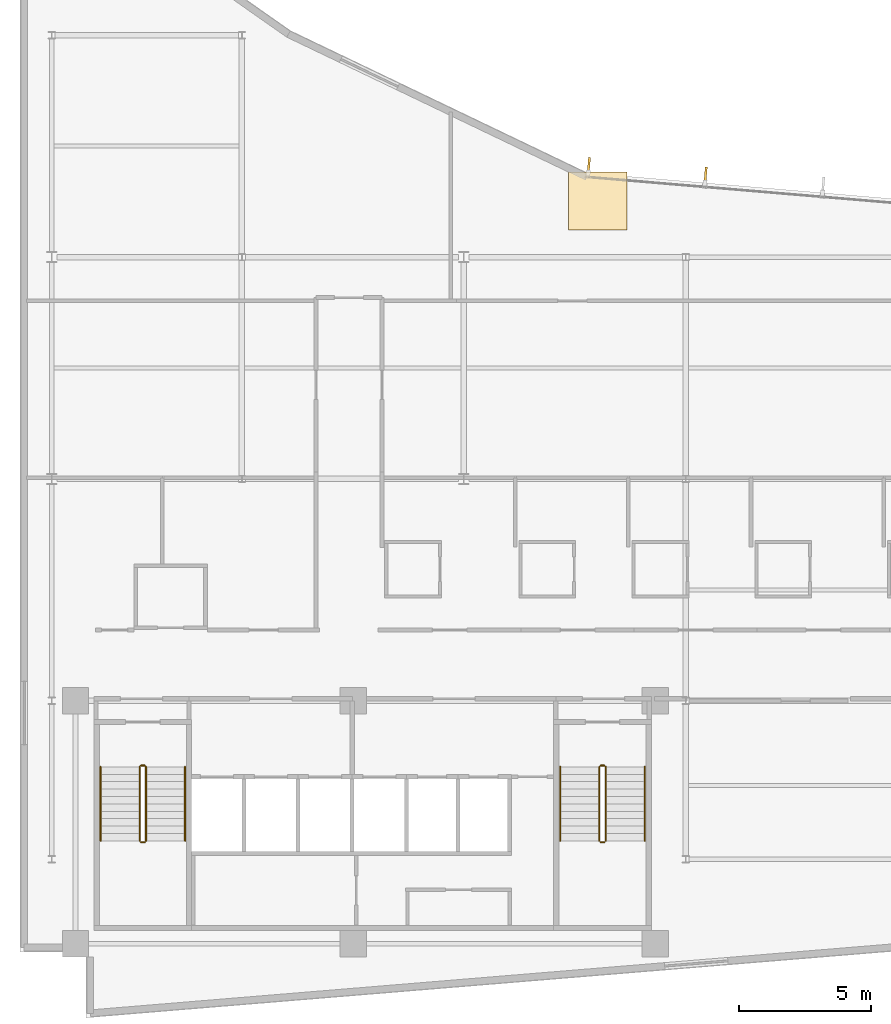
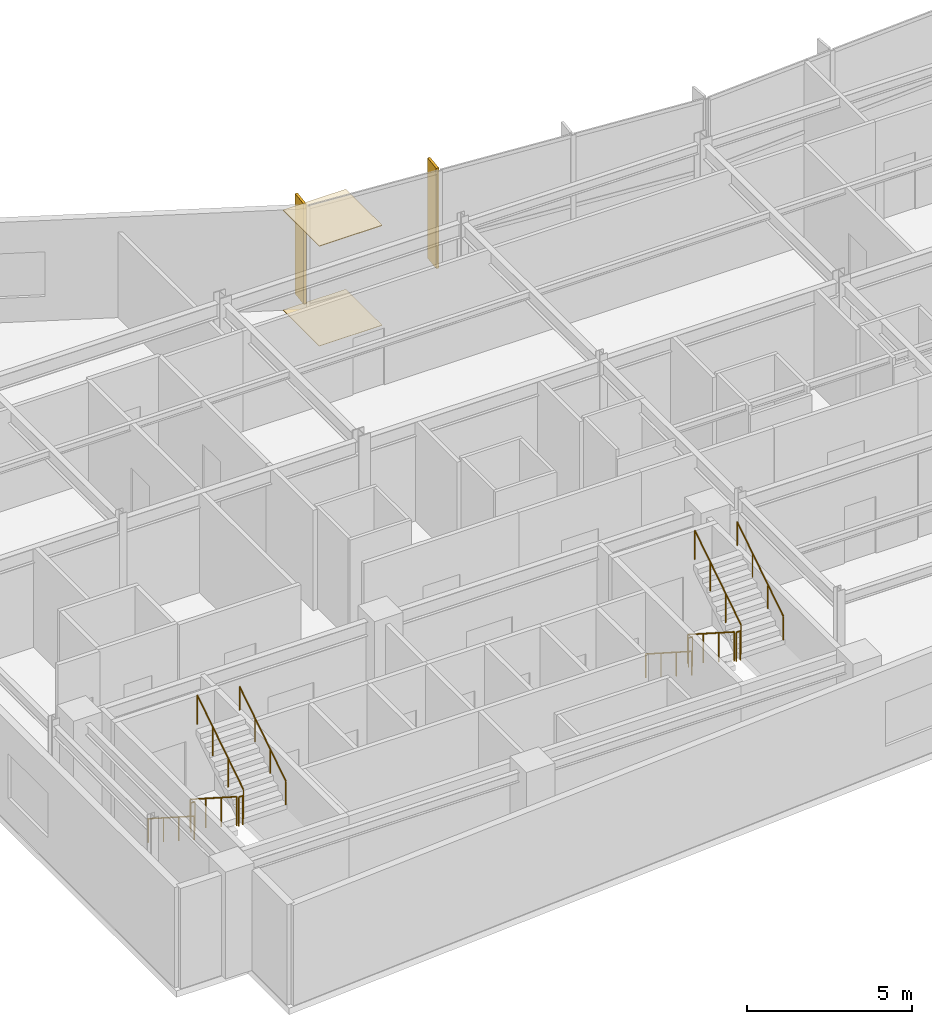
# One storey, part 13 of 15: 12 railings, 2 coverings, 2 shading devices.
"""IFC4 building model written with IfcOpenShell, lengths in metres."""

from ifc_helpers import new_model, si_unit, direction, frame, origin, origin_2d, place, context, subcontext, project, spatial, rectangle, circle, extrude, material, layer, layer_set, type_object, element, save


model = new_model("IFC4")

# Units and contexts
model_context = context("Model", 3, precision=1e-05, world=origin(), true_north=direction((0.0, 1.0)))
body_context = subcontext(model_context, "Body", "Model", "MODEL_VIEW")
ifc_project = project(units=[si_unit("LENGTHUNIT", "METRE"), si_unit("AREAUNIT", "SQUARE_METRE"), si_unit("VOLUMEUNIT", "CUBIC_METRE"), si_unit("PLANEANGLEUNIT", "RADIAN"), si_unit("MASSUNIT", "GRAM", prefix="KILO")], contexts=[model_context])

# Site, building, storey
site_placement = place(None, origin())
site = spatial("IfcSite", under=ifc_project, at=site_placement, CompositionType="ELEMENT")
building_placement = place(site_placement, origin())
building = spatial("IfcBuilding", under=site, at=building_placement, Name="Varnakote Quay Hospital", CompositionType="ELEMENT")
storey_placement = place(building_placement, frame((0.0, 0.0, 200.0)))
storey = spatial("IfcBuildingStorey", under=building, at=storey_placement, Name="L49", CompositionType="ELEMENT", Elevation=200.0)

# Coverings
ifc_material_1 = material(Name="Antimicrobial acoustic mineral ceiling tile", Category="gypsum")
ifc_layer_1 = layer(ifc_material_1, 0.02490234375)
ifc_layer_set_1 = layer_set([ifc_layer_1], Name="Antimicrobial acoustic mineral ceiling tile")
covering_type_1 = type_object("IfcCoveringType", Name="COV-CLIN-CEIL-25", PredefinedType="CEILING", material=ifc_layer_set_1)
covering_1_placement = place(storey_placement, frame((21.867919921875, 30.916015625, 3.68505859375), z_axis=(0.0, 0.0, 1.0), x_axis=(1.0, 0.0, 0.0)))
element("IfcCovering", 1, at=covering_1_placement, inside=storey, type_object=covering_type_1, Name="L49 Antimicrobial Acoustic Ceiling Tile", PredefinedType="CEILING", context=body_context, shape_type="SweptSolid", body=[
    extrude(rectangle(XDim=2.199951171875, YDim=2.199951171875, at=origin_2d()), origin(), (0.0, 0.0, 1.0), 0.02490234375),
])
ifc_material_2 = material(Name="Seamless clinical sheet vinyl flooring")
ifc_layer_2 = layer(ifc_material_2, 0.011962890625)
ifc_layer_set_2 = layer_set([ifc_layer_2], Name="Seamless clinical sheet vinyl flooring")
covering_type_2 = type_object("IfcCoveringType", Name="COV-CLIN-VINYL-12", PredefinedType="FLOORING", material=ifc_layer_set_2)
covering_2_placement = place(storey_placement, frame((21.867919921875, 30.916015625, 0.0), z_axis=(0.0, 0.0, 1.0), x_axis=(1.0, 0.0, 0.0)))
element("IfcCovering", 2, at=covering_2_placement, inside=storey, type_object=covering_type_2, Name="L49 Seamless Clinical Vinyl Flooring", PredefinedType="FLOORING", context=body_context, shape_type="SweptSolid", body=[
    extrude(rectangle(XDim=2.199951171875, YDim=2.199951171875, at=origin_2d()), origin(), (0.0, 0.0, 1.0), 0.011962890625),
])

# Railings
ifc_material_3 = material(Name="Brushed stainless steel balustrade", Category="steel")
railing_type_1 = type_object("IfcRailingType", Name="RLG-STAIR-GUARD-1150", PredefinedType="GUARDRAIL", material=ifc_material_3)
railing_1_placement = place(storey_placement, frame((4.530029296875, 9.5, 0.179443359375)))
element("IfcRailing", 3, at=railing_1_placement, inside=storey, type_object=railing_type_1, Name="L49 ST-01 stair guard 1", PredefinedType="GUARDRAIL", context=body_context, shape_type="SweptSolid", body=[
    extrude(circle(Radius=0.02392578125, at=origin_2d()), frame((0.0, 0.0, 1.076171875), z_axis=(0.0, -0.841776520102, 0.539826166654), x_axis=(1.0, 0.0, 0.0)), (0.0, 0.0, 1.0), 3.326416015625),
    extrude(circle(Radius=0.02099609375, at=origin_2d()), origin(), (0.0, 0.0, 1.0), 1.052001953125),
    extrude(circle(Radius=0.02099609375, at=origin_2d()), frame((0.0, -0.933349609375, 0.5986328125)), (0.0, 0.0, 1.0), 1.052001953125),
    extrude(circle(Radius=0.02099609375, at=origin_2d()), frame((0.0, -1.86669921875, 1.197021484375)), (0.0, 0.0, 1.0), 1.052001953125),
    extrude(circle(Radius=0.02099609375, at=origin_2d()), frame((0.0, -2.800048828125, 1.795654296875)), (0.0, 0.0, 1.0), 1.052001953125),
])
railing_2_placement = place(storey_placement, frame((4.580078125, 6.64990234375, 1.97509765625)))
element("IfcRailing", 4, at=railing_2_placement, inside=storey, type_object=railing_type_1, Name="L49 ST-01 stair guard 2", PredefinedType="GUARDRAIL", context=body_context, shape_type="SweptSolid", body=[
    extrude(circle(Radius=0.02392578125, at=origin_2d()), frame((0.0, 0.0, 1.076171875), z_axis=(1.0, 0.0, 0.0), x_axis=(0.0, 1.0, 0.0)), (0.0, 0.0, 1.0), 0.139892578125),
    extrude(circle(Radius=0.02099609375, at=origin_2d()), origin(), (0.0, 0.0, 1.0), 1.052001953125),
    extrude(circle(Radius=0.02099609375, at=origin_2d()), frame((0.139892578125, 0.0, 0.0)), (0.0, 0.0, 1.0), 1.052001953125),
])
railing_3_placement = place(storey_placement, frame((4.77001953125, 6.699951171875, 2.154541015625)))
element("IfcRailing", 5, at=railing_3_placement, inside=storey, type_object=railing_type_1, Name="L49 ST-01 stair guard 3", PredefinedType="GUARDRAIL", context=body_context, shape_type="SweptSolid", body=[
    extrude(circle(Radius=0.02392578125, at=origin_2d()), frame((0.0, 0.0, 1.076171875), z_axis=(0.0, 0.841809871826, 0.539774156196), x_axis=(-1.0, 0.0, 0.0)), (0.0, 0.0, 1.0), 3.326171875),
    extrude(circle(Radius=0.02099609375, at=origin_2d()), origin(), (0.0, 0.0, 1.0), 1.052001953125),
    extrude(circle(Radius=0.02099609375, at=origin_2d()), frame((0.0, 0.933349609375, 0.598388671875)), (0.0, 0.0, 1.0), 1.052001953125),
    extrude(circle(Radius=0.02099609375, at=origin_2d()), frame((0.0, 1.86669921875, 1.197021484375)), (0.0, 0.0, 1.0), 1.052001953125),
    extrude(circle(Radius=0.02099609375, at=origin_2d()), frame((0.0, 2.800048828125, 1.79541015625)), (0.0, 0.0, 1.0), 1.052001953125),
])
railing_4_placement = place(storey_placement, frame((4.580078125, 9.550048828125, 0.0)))
element("IfcRailing", 6, at=railing_4_placement, inside=storey, type_object=railing_type_1, Name="L49 ST-01 stair guard 4", PredefinedType="GUARDRAIL", context=body_context, shape_type="SweptSolid", body=[
    extrude(circle(Radius=0.02392578125, at=origin_2d()), frame((0.0, 0.0, 1.076171875), z_axis=(1.0, 0.0, 0.0), x_axis=(0.0, 1.0, 0.0)), (0.0, 0.0, 1.0), 0.139892578125),
    extrude(circle(Radius=0.02099609375, at=origin_2d()), origin(), (0.0, 0.0, 1.0), 1.052001953125),
    extrude(circle(Radius=0.02099609375, at=origin_2d()), frame((0.139892578125, 0.0, 0.0)), (0.0, 0.0, 1.0), 1.052001953125),
])
railing_5_placement = place(storey_placement, frame((21.929931640625, 9.5, 0.179443359375)))
element("IfcRailing", 7, at=railing_5_placement, inside=storey, type_object=railing_type_1, Name="L49 ST-02 stair guard 1", PredefinedType="GUARDRAIL", context=body_context, shape_type="SweptSolid", body=[
    extrude(circle(Radius=0.02392578125, at=origin_2d()), frame((0.0, 0.0, 1.076171875), z_axis=(0.0, -0.841776520102, 0.539826166654), x_axis=(1.0, 0.0, 0.0)), (0.0, 0.0, 1.0), 3.326416015625),
    extrude(circle(Radius=0.02099609375, at=origin_2d()), origin(), (0.0, 0.0, 1.0), 1.052001953125),
    extrude(circle(Radius=0.02099609375, at=origin_2d()), frame((0.0, -0.933349609375, 0.5986328125)), (0.0, 0.0, 1.0), 1.052001953125),
    extrude(circle(Radius=0.02099609375, at=origin_2d()), frame((0.0, -1.86669921875, 1.197021484375)), (0.0, 0.0, 1.0), 1.052001953125),
    extrude(circle(Radius=0.02099609375, at=origin_2d()), frame((0.0, -2.800048828125, 1.795654296875)), (0.0, 0.0, 1.0), 1.052001953125),
])
railing_6_placement = place(storey_placement, frame((21.97998046875, 6.64990234375, 1.97509765625)))
element("IfcRailing", 8, at=railing_6_placement, inside=storey, type_object=railing_type_1, Name="L49 ST-02 stair guard 2", PredefinedType="GUARDRAIL", context=body_context, shape_type="SweptSolid", body=[
    extrude(circle(Radius=0.02392578125, at=origin_2d()), frame((0.0, 0.0, 1.076171875), z_axis=(1.0, 0.0, 0.0), x_axis=(0.0, 1.0, 0.0)), (0.0, 0.0, 1.0), 0.14013671875),
    extrude(circle(Radius=0.02099609375, at=origin_2d()), origin(), (0.0, 0.0, 1.0), 1.052001953125),
    extrude(circle(Radius=0.02099609375, at=origin_2d()), frame((0.14013671875, 0.0, 0.0)), (0.0, 0.0, 1.0), 1.052001953125),
])
railing_7_placement = place(storey_placement, frame((22.169921875, 6.699951171875, 2.154541015625)))
element("IfcRailing", 9, at=railing_7_placement, inside=storey, type_object=railing_type_1, Name="L49 ST-02 stair guard 3", PredefinedType="GUARDRAIL", context=body_context, shape_type="SweptSolid", body=[
    extrude(circle(Radius=0.02392578125, at=origin_2d()), frame((0.0, 0.0, 1.076171875), z_axis=(0.0, 0.841809871826, 0.539774156196), x_axis=(-1.0, 0.0, 0.0)), (0.0, 0.0, 1.0), 3.326171875),
    extrude(circle(Radius=0.02099609375, at=origin_2d()), origin(), (0.0, 0.0, 1.0), 1.052001953125),
    extrude(circle(Radius=0.02099609375, at=origin_2d()), frame((0.0, 0.933349609375, 0.598388671875)), (0.0, 0.0, 1.0), 1.052001953125),
    extrude(circle(Radius=0.02099609375, at=origin_2d()), frame((0.0, 1.86669921875, 1.197021484375)), (0.0, 0.0, 1.0), 1.052001953125),
    extrude(circle(Radius=0.02099609375, at=origin_2d()), frame((0.0, 2.800048828125, 1.79541015625)), (0.0, 0.0, 1.0), 1.052001953125),
])
railing_8_placement = place(storey_placement, frame((21.97998046875, 9.550048828125, 0.0)))
element("IfcRailing", 10, at=railing_8_placement, inside=storey, type_object=railing_type_1, Name="L49 ST-02 stair guard 4", PredefinedType="GUARDRAIL", context=body_context, shape_type="SweptSolid", body=[
    extrude(circle(Radius=0.02392578125, at=origin_2d()), frame((0.0, 0.0, 1.076171875), z_axis=(1.0, 0.0, 0.0), x_axis=(0.0, 1.0, 0.0)), (0.0, 0.0, 1.0), 0.14013671875),
    extrude(circle(Radius=0.02099609375, at=origin_2d()), origin(), (0.0, 0.0, 1.0), 1.052001953125),
    extrude(circle(Radius=0.02099609375, at=origin_2d()), frame((0.14013671875, 0.0, 0.0)), (0.0, 0.0, 1.0), 1.052001953125),
])
ifc_material_4 = material(Name="Brushed stainless steel handrail", Category="steel")
railing_type_2 = type_object("IfcRailingType", Name="RLG-STAIR-HND-920", PredefinedType="HANDRAIL", material=ifc_material_4)
railing_9_placement = place(storey_placement, frame((3.050048828125, 9.5, 0.179443359375)))
element("IfcRailing", 11, at=railing_9_placement, inside=storey, type_object=railing_type_2, Name="L49 ST-01 stair handrail 1", PredefinedType="HANDRAIL", context=body_context, shape_type="SweptSolid", body=[
    extrude(circle(Radius=0.02392578125, at=origin_2d()), frame((0.0, 0.0, 0.8759765625), z_axis=(0.0, -0.841776520102, 0.539826166654), x_axis=(1.0, 0.0, 0.0)), (0.0, 0.0, 1.0), 3.326416015625),
    extrude(circle(Radius=0.02099609375, at=origin_2d()), origin(), (0.0, 0.0, 1.0), 0.851806640625),
    extrude(circle(Radius=0.02099609375, at=origin_2d()), frame((0.0, -0.933349609375, 0.5986328125)), (0.0, 0.0, 1.0), 0.851806640625),
    extrude(circle(Radius=0.02099609375, at=origin_2d()), frame((0.0, -1.86669921875, 1.197021484375)), (0.0, 0.0, 1.0), 0.851806640625),
    extrude(circle(Radius=0.02099609375, at=origin_2d()), frame((0.0, -2.800048828125, 1.795654296875)), (0.0, 0.0, 1.0), 0.851806640625),
])
railing_10_placement = place(storey_placement, frame((6.25, 6.699951171875, 2.154541015625)))
element("IfcRailing", 12, at=railing_10_placement, inside=storey, type_object=railing_type_2, Name="L49 ST-01 stair handrail 2", PredefinedType="HANDRAIL", context=body_context, shape_type="SweptSolid", body=[
    extrude(circle(Radius=0.02392578125, at=origin_2d()), frame((0.0, 0.0, 0.8759765625), z_axis=(0.0, 0.841809871826, 0.539774156196), x_axis=(-1.0, 0.0, 0.0)), (0.0, 0.0, 1.0), 3.326171875),
    extrude(circle(Radius=0.02099609375, at=origin_2d()), origin(), (0.0, 0.0, 1.0), 0.851806640625),
    extrude(circle(Radius=0.02099609375, at=origin_2d()), frame((0.0, 0.933349609375, 0.598388671875)), (0.0, 0.0, 1.0), 0.851806640625),
    extrude(circle(Radius=0.02099609375, at=origin_2d()), frame((0.0, 1.86669921875, 1.197021484375)), (0.0, 0.0, 1.0), 0.851806640625),
    extrude(circle(Radius=0.02099609375, at=origin_2d()), frame((0.0, 2.800048828125, 1.79541015625)), (0.0, 0.0, 1.0), 0.851806640625),
])
railing_11_placement = place(storey_placement, frame((20.449951171875, 9.5, 0.179443359375)))
element("IfcRailing", 13, at=railing_11_placement, inside=storey, type_object=railing_type_2, Name="L49 ST-02 stair handrail 1", PredefinedType="HANDRAIL", context=body_context, shape_type="SweptSolid", body=[
    extrude(circle(Radius=0.02392578125, at=origin_2d()), frame((0.0, 0.0, 0.8759765625), z_axis=(0.0, -0.841776520102, 0.539826166654), x_axis=(1.0, 0.0, 0.0)), (0.0, 0.0, 1.0), 3.326416015625),
    extrude(circle(Radius=0.02099609375, at=origin_2d()), origin(), (0.0, 0.0, 1.0), 0.851806640625),
    extrude(circle(Radius=0.02099609375, at=origin_2d()), frame((0.0, -0.933349609375, 0.5986328125)), (0.0, 0.0, 1.0), 0.851806640625),
    extrude(circle(Radius=0.02099609375, at=origin_2d()), frame((0.0, -1.86669921875, 1.197021484375)), (0.0, 0.0, 1.0), 0.851806640625),
    extrude(circle(Radius=0.02099609375, at=origin_2d()), frame((0.0, -2.800048828125, 1.795654296875)), (0.0, 0.0, 1.0), 0.851806640625),
])
railing_12_placement = place(storey_placement, frame((23.64990234375, 6.699951171875, 2.154541015625)))
element("IfcRailing", 14, at=railing_12_placement, inside=storey, type_object=railing_type_2, Name="L49 ST-02 stair handrail 2", PredefinedType="HANDRAIL", context=body_context, shape_type="SweptSolid", body=[
    extrude(circle(Radius=0.02392578125, at=origin_2d()), frame((0.0, 0.0, 0.8759765625), z_axis=(0.0, 0.841809871826, 0.539774156196), x_axis=(-1.0, 0.0, 0.0)), (0.0, 0.0, 1.0), 3.326171875),
    extrude(circle(Radius=0.02099609375, at=origin_2d()), origin(), (0.0, 0.0, 1.0), 0.851806640625),
    extrude(circle(Radius=0.02099609375, at=origin_2d()), frame((0.0, 0.933349609375, 0.598388671875)), (0.0, 0.0, 1.0), 0.851806640625),
    extrude(circle(Radius=0.02099609375, at=origin_2d()), frame((0.0, 1.86669921875, 1.197021484375)), (0.0, 0.0, 1.0), 0.851806640625),
    extrude(circle(Radius=0.02099609375, at=origin_2d()), frame((0.0, 2.800048828125, 1.79541015625)), (0.0, 0.0, 1.0), 0.851806640625),
])

# Shading devices
ifc_material_5 = material(Name="Anodised aluminium 6063-T6 Bronze", Category="aluminium")
ifc_layer_3 = layer(ifc_material_5, 0.0849609375)
ifc_layer_set_3 = layer_set([ifc_layer_3], Name="Anodised aluminium 6063-T6 Bronze")
shading_device_type = type_object("IfcShadingDeviceType", Name="SHD-BRONZE-FIN-620", PredefinedType="USERDEFINED", material=ifc_layer_set_3)
for number, where, z_axis, x_axis, name in (
    (15, (25.9501953125, 31.8955078125, 0.0), (0.0, 0.0, 1.0), (-0.084199594279, -0.996448909038, 0.0), "L49 Anodised Bronze Vertical Shading FIN"),
    (16, (21.531494140625, 32.268798828125, 0.0), (0.0, 0.0, 1.0), (-0.084199594279, -0.996448909038, 0.0), "L49 Anodised Bronze Vertical Shading FIN"),
):
    element("IfcShadingDevice", number, at=place(storey_placement, frame(where, z_axis=z_axis, x_axis=x_axis)), inside=storey, type_object=shading_device_type, Name=name, ObjectType="FIN", PredefinedType="USERDEFINED", context=body_context, shape_type="SweptSolid", body=[
        extrude(rectangle(XDim=0.6201171875, YDim=0.0849609375, at=origin_2d()), origin(), (0.0, 0.0, 1.0), 3.7099609375),
    ])

save(model, "model.ifc")
